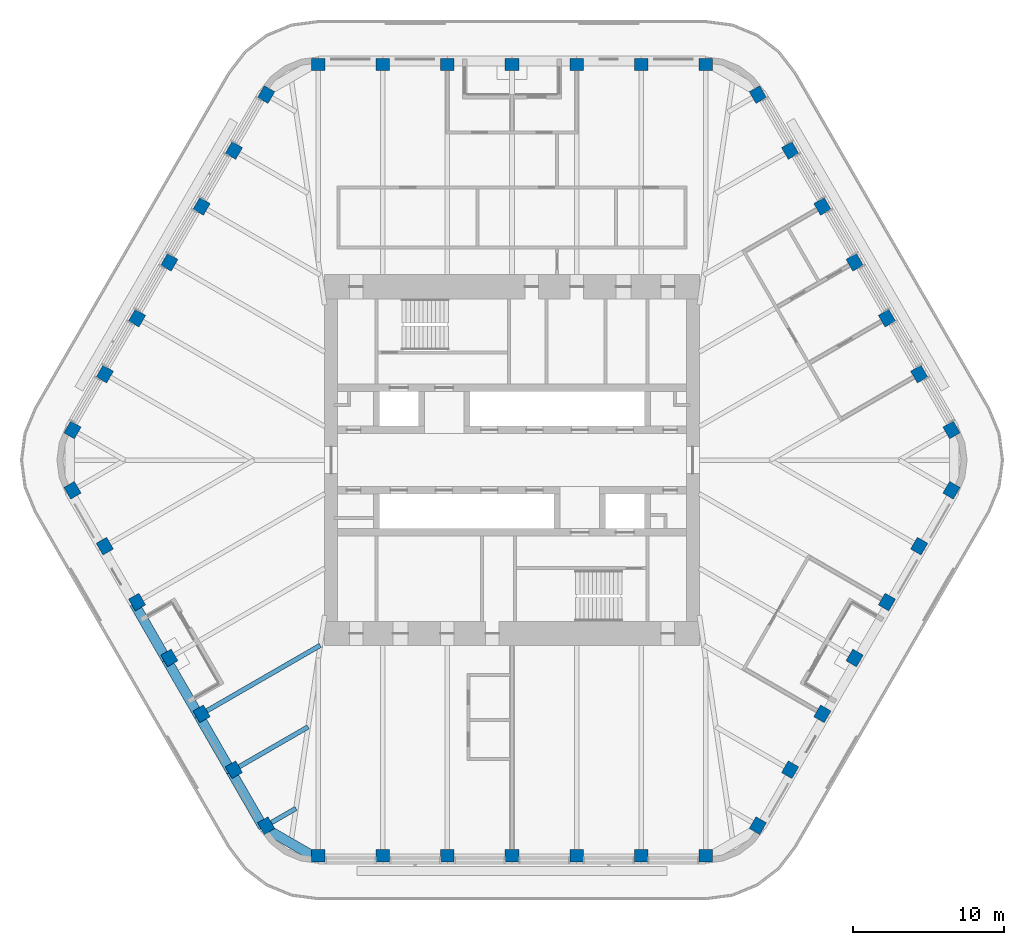
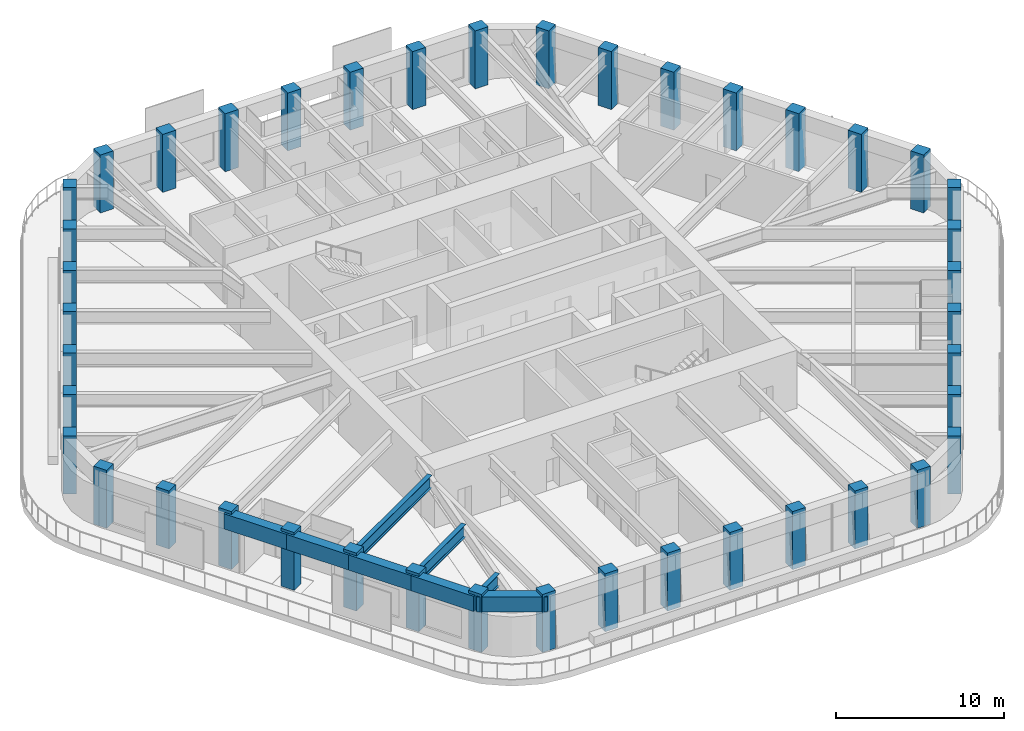
# One storey, part 1 of 19: 42 columns, 8 beams.
"""IFC4 building model written with IfcOpenShell, lengths in metres."""

from ifc_helpers import new_model, si_unit, direction, frame, origin, origin_2d, place, context, subcontext, project, spatial, rectangle, i_section, extrude, material, material_profile, profile_set, type_object, element, save


model = new_model("IFC4")

# Units and contexts
model_context = context("Model", 3, precision=1e-05, world=origin(), true_north=direction((0.0, 1.0)))
body_context = subcontext(model_context, "Body", "Model", "MODEL_VIEW")
ifc_project = project(units=[si_unit("LENGTHUNIT", "METRE"), si_unit("AREAUNIT", "SQUARE_METRE"), si_unit("VOLUMEUNIT", "CUBIC_METRE"), si_unit("PLANEANGLEUNIT", "RADIAN"), si_unit("MASSUNIT", "GRAM", prefix="KILO")], contexts=[model_context])

# Site, building, storey
site_placement = place(None, origin())
site = spatial("IfcSite", under=ifc_project, at=site_placement, CompositionType="ELEMENT")
building_placement = place(site_placement, origin())
building = spatial("IfcBuilding", under=site, at=building_placement, Name="Tarfa Lantern Tower", CompositionType="ELEMENT")
storey_placement = place(building_placement, frame((0.0, 0.0, 370.300048828125)))
storey = spatial("IfcBuildingStorey", under=building, at=storey_placement, Name="L84", CompositionType="ELEMENT", Elevation=370.300048828125)

# Columns
ifc_material_1 = material(Name="Concrete C80/95", Category="concrete")
ifc_material_profile_1 = material_profile(ifc_material_1, rectangle(XDim=0.89990234375, YDim=0.800048828125, at=origin_2d()), Name="RC 900x800")
ifc_profile_set_1 = profile_set([ifc_material_profile_1], Name="Concrete C80/95")
column_type = type_object("IfcColumnType", Name="TC15 RC 900x800", PredefinedType="COLUMN", material=ifc_profile_set_1)
for number, where, z_axis, x_axis, name in (
    (1, (29.15625, 2.0, 0.0), (0.0, 0.0, 1.0), (-0.5, 0.866025403784, 0.0), "Tube column NE0"),
    (2, (27.01513671875, 5.708251953125, 0.0), (0.0, 0.0, 1.0), (-0.5, 0.866025403784, 0.0), "Tube column NE1"),
    (3, (24.874267578125, 9.416748046875, 0.0), (0.0, 0.0, 1.0), (-0.5, 0.866025403784, 0.0), "Tube column NE2"),
    (4, (22.733154296875, 13.125, 0.0), (0.0, 0.0, 1.0), (-0.5, 0.866025403784, 0.0), "Tube column NE3"),
    (5, (20.592041015625, 16.833251953125, 0.0), (0.0, 0.0, 1.0), (-0.5, 0.866025403784, 0.0), "Tube column NE4"),
    (6, (18.451171875, 20.541748046875, 0.0), (0.0, 0.0, 1.0), (-0.5, 0.866025403784, 0.0), "Tube column NE5"),
    (7, (16.31005859375, 24.25, 0.0), (0.0, 0.0, 1.0), (-0.5, 0.866025403784, 0.0), "Tube column NE6"),
    (8, (12.845947265625, 26.25, 0.0), (0.0, 0.0, 1.0), (-1.0, 0.0, 0.0), "Tube column N0"),
    (9, (8.56396484375, 26.25, 0.0), (0.0, 0.0, 1.0), (-1.0, 0.0, 0.0), "Tube column N1"),
    (10, (4.281982421875, 26.25, 0.0), (0.0, 0.0, 1.0), (-1.0, 0.0, 0.0), "Tube column N2"),
    (11, (0.0, 26.25, 0.0), (0.0, 0.0, 1.0), (-1.0, 0.0, 0.0), "Tube column N3"),
    (12, (-4.281982421875, 26.25, 0.0), (0.0, 0.0, 1.0), (-1.0, 0.0, 0.0), "Tube column N4"),
    (13, (-8.56396484375, 26.25, 0.0), (0.0, 0.0, 1.0), (-1.0, 0.0, 0.0), "Tube column N5"),
    (14, (-12.845947265625, 26.25, 0.0), (0.0, 0.0, 1.0), (-1.0, 0.0, 0.0), "Tube column N6"),
    (15, (-16.31005859375, 24.25, 0.0), (0.0, 0.0, 1.0), (-0.5, -0.866025403784, 0.0), "Tube column NW0"),
    (16, (-18.451171875, 20.541748046875, 0.0), (0.0, 0.0, 1.0), (-0.5, -0.866025403784, 0.0), "Tube column NW1"),
    (17, (-20.592041015625, 16.833251953125, 0.0), (0.0, 0.0, 1.0), (-0.5, -0.866025403784, 0.0), "Tube column NW2"),
    (18, (-22.733154296875, 13.125, 0.0), (0.0, 0.0, 1.0), (-0.5, -0.866025403784, 0.0), "Tube column NW3"),
    (19, (-24.874267578125, 9.416748046875, 0.0), (0.0, 0.0, 1.0), (-0.5, -0.866025403784, 0.0), "Tube column NW4"),
    (20, (-27.01513671875, 5.708251953125, 0.0), (0.0, 0.0, 1.0), (-0.5, -0.866025403784, 0.0), "Tube column NW5"),
    (21, (-29.15625, 2.0, 0.0), (0.0, 0.0, 1.0), (-0.5, -0.866025403784, 0.0), "Tube column NW6"),
    (22, (-29.15625, -2.0, 0.0), (0.0, 0.0, 1.0), (0.5, -0.866025403784, 0.0), "Tube column SW0"),
    (23, (-27.01513671875, -5.708251953125, 0.0), (0.0, 0.0, 1.0), (0.5, -0.866025403784, 0.0), "Tube column SW1"),
    (24, (-24.874267578125, -9.416748046875, 0.0), (0.0, 0.0, 1.0), (0.5, -0.866025403784, 0.0), "Tube column SW2"),
    (25, (-22.733154296875, -13.125, 0.0), (0.0, 0.0, 1.0), (0.5, -0.866025403784, 0.0), "Tube column SW3"),
    (26, (-20.592041015625, -16.833251953125, 0.0), (0.0, 0.0, 1.0), (0.5, -0.866025403784, 0.0), "Tube column SW4"),
    (27, (-18.451171875, -20.541748046875, 0.0), (0.0, 0.0, 1.0), (0.5, -0.866025403784, 0.0), "Tube column SW5"),
    (28, (-16.31005859375, -24.25, 0.0), (0.0, 0.0, 1.0), (0.5, -0.866025403784, 0.0), "Tube column SW6"),
    (29, (-12.845947265625, -26.25, 0.0), (0.0, 0.0, 1.0), (1.0, 0.0, 0.0), "Tube column S0"),
    (30, (-8.56396484375, -26.25, 0.0), (0.0, 0.0, 1.0), (1.0, 0.0, 0.0), "Tube column S1"),
    (31, (-4.281982421875, -26.25, 0.0), (0.0, 0.0, 1.0), (1.0, 0.0, 0.0), "Tube column S2"),
    (32, (0.0, -26.25, 0.0), (0.0, 0.0, 1.0), (1.0, 0.0, 0.0), "Tube column S3"),
    (33, (4.281982421875, -26.25, 0.0), (0.0, 0.0, 1.0), (1.0, 0.0, 0.0), "Tube column S4"),
    (34, (8.56396484375, -26.25, 0.0), (0.0, 0.0, 1.0), (1.0, 0.0, 0.0), "Tube column S5"),
    (35, (12.845947265625, -26.25, 0.0), (0.0, 0.0, 1.0), (1.0, 0.0, 0.0), "Tube column S6"),
    (36, (16.31005859375, -24.25, 0.0), (0.0, 0.0, 1.0), (0.5, 0.866025403784, 0.0), "Tube column SE0"),
    (37, (18.451171875, -20.541748046875, 0.0), (0.0, 0.0, 1.0), (0.5, 0.866025403784, 0.0), "Tube column SE1"),
    (38, (20.592041015625, -16.833251953125, 0.0), (0.0, 0.0, 1.0), (0.5, 0.866025403784, 0.0), "Tube column SE2"),
    (39, (22.733154296875, -13.125, 0.0), (0.0, 0.0, 1.0), (0.5, 0.866025403784, 0.0), "Tube column SE3"),
    (40, (24.874267578125, -9.416748046875, 0.0), (0.0, 0.0, 1.0), (0.5, 0.866025403784, 0.0), "Tube column SE4"),
    (41, (27.01513671875, -5.708251953125, 0.0), (0.0, 0.0, 1.0), (0.5, 0.866025403784, 0.0), "Tube column SE5"),
    (42, (29.15625, -2.0, 0.0), (0.0, 0.0, 1.0), (0.5, 0.866025403784, 0.0), "Tube column SE6"),
):
    element("IfcColumn", number, at=place(storey_placement, frame(where, z_axis=z_axis, x_axis=x_axis)), inside=storey, type_object=column_type, Name=name, PredefinedType="COLUMN", context=body_context, shape_type="SweptSolid", body=[
        extrude(rectangle(XDim=0.89990234375, YDim=0.800048828125, at=origin_2d()), origin(), (0.0, 0.0, 1.0), 4.199951171875),
    ])

# Beams
ifc_material_profile_2 = material_profile(ifc_material_1, rectangle(XDim=0.64990234375, YDim=1.10009765625, at=origin_2d()), Name="RC 650x1100")
ifc_profile_set_2 = profile_set([ifc_material_profile_2], Name="Concrete C80/95")
beam_type_1 = type_object("IfcBeamType", Name="EB4 RC 650x1100", PredefinedType="SPANDREL", material=ifc_profile_set_2)
beam_1_placement = place(storey_placement, frame((-25.064697265625, -9.526611328125, 3.449951171875), z_axis=(0.500002112793, -0.866024183959, 0.0), x_axis=(0.866024183959, 0.500002112793, 0.0)))
element("IfcBeam", 43, at=beam_1_placement, inside=storey, type_object=beam_type_1, Name="Edge beam SW2", PredefinedType="SPANDREL", context=body_context, shape_type="SweptSolid", body=[
    extrude(rectangle(XDim=0.64990234375, YDim=1.10009765625, at=origin_2d()), origin(), (0.0, 0.0, 1.0), 4.2822265625),
])
for number, where, z_axis, x_axis, name in (
    (44, (-22.923583984375, -13.235107421875, 3.449951171875), (0.499984039138, -0.866034618596, 0.0), (0.866034618596, 0.499984039138, 0.0), "Edge beam SW3"),
    (45, (-20.78271484375, -16.943359375, 3.449951171875), (0.500026801138, -0.866009929587, 0.0), (0.866009929587, 0.500026801138, 0.0), "Edge beam SW4"),
    (46, (-18.6416015625, -20.651611328125, 3.449951171875), (0.499959351497, -0.866048870937, 0.0), (0.866048870937, 0.499959351497, 0.0), "Edge beam SW5"),
):
    element("IfcBeam", number, at=place(storey_placement, frame(where, z_axis=z_axis, x_axis=x_axis)), inside=storey, type_object=beam_type_1, Name=name, PredefinedType="SPANDREL", context=body_context, shape_type="SweptSolid", body=[
        extrude(rectangle(XDim=0.64990234375, YDim=1.10009765625, at=origin_2d()), origin(), (0.0, 0.0, 1.0), 4.281982421875),
    ])
beam_2_placement = place(storey_placement, frame((-16.500732421875, -24.360107421875, 3.449951171875), z_axis=(0.866048788483, -0.499959494327, 0.0), x_axis=(0.499959494327, 0.866048788483, 0.0)))
element("IfcBeam", 47, at=beam_2_placement, inside=storey, type_object=beam_type_1, Name="Edge beam SW6", PredefinedType="SPANDREL", context=body_context, shape_type="SweptSolid", body=[
    extrude(rectangle(XDim=0.64990234375, YDim=1.10009765625, at=origin_2d()), origin(), (0.0, 0.0, 1.0), 4.219970703125),
])
ifc_material_2 = material(Name="Steel S460M", Category="steel")
ifc_material_profile_3 = material_profile(ifc_material_2, i_section(OverallWidth=0.305419921875, OverallDepth=0.91845703125, WebThickness=0.017333984375, FlangeThickness=0.02783203125, FilletRadius=0.01904296875, at=origin_2d()), Name="UB914x305x253")
ifc_profile_set_3 = profile_set([ifc_material_profile_3], Name="Steel S460M")
beam_type_2 = type_object("IfcBeamType", Name="UB914x305x253", PredefinedType="BEAM", material=ifc_profile_set_3)
beam_3_placement = place(storey_placement, frame((-20.78271484375, -16.943359375, 3.540771484375), z_axis=(0.866021806508, 0.500006230613, 0.0), x_axis=(-0.500006230613, 0.866021806508, 0.0)))
element("IfcBeam", 48, at=beam_3_placement, inside=storey, type_object=beam_type_2, Name="Floor beam SW4", PredefinedType="BEAM", context=body_context, shape_type="SweptSolid", body=[
    extrude(i_section(OverallWidth=0.305419921875, OverallDepth=0.91845703125, WebThickness=0.017333984375, FlangeThickness=0.02783203125, FilletRadius=0.01904296875, at=origin_2d()), origin(), (0.0, 0.0, 1.0), 9.30908203125),
])
beam_4_placement = place(storey_placement, frame((-18.6416015625, -20.651611328125, 3.540771484375), z_axis=(0.866024549157, 0.500001480256, 0.0), x_axis=(-0.500001480256, 0.866024549157, 0.0)))
element("IfcBeam", 49, at=beam_4_placement, inside=storey, type_object=beam_type_2, Name="Floor beam SW5", PredefinedType="BEAM", context=body_context, shape_type="SweptSolid", body=[
    extrude(i_section(OverallWidth=0.305419921875, OverallDepth=0.91845703125, WebThickness=0.017333984375, FlangeThickness=0.02783203125, FilletRadius=0.01904296875, at=origin_2d()), origin(), (0.0, 0.0, 1.0), 5.90771484375),
])
beam_5_placement = place(storey_placement, frame((-16.500732421875, -24.360107421875, 3.540771484375), z_axis=(0.865992557167, 0.500056887695, 0.0), x_axis=(-0.500056887695, 0.865992557167, 0.0)))
element("IfcBeam", 50, at=beam_5_placement, inside=storey, type_object=beam_type_2, Name="Floor beam SW6", PredefinedType="BEAM", context=body_context, shape_type="SweptSolid", body=[
    extrude(i_section(OverallWidth=0.305419921875, OverallDepth=0.91845703125, WebThickness=0.017333984375, FlangeThickness=0.02783203125, FilletRadius=0.01904296875, at=origin_2d()), origin(), (0.0, 0.0, 1.0), 2.506591796875),
])

save(model, "model.ifc")
